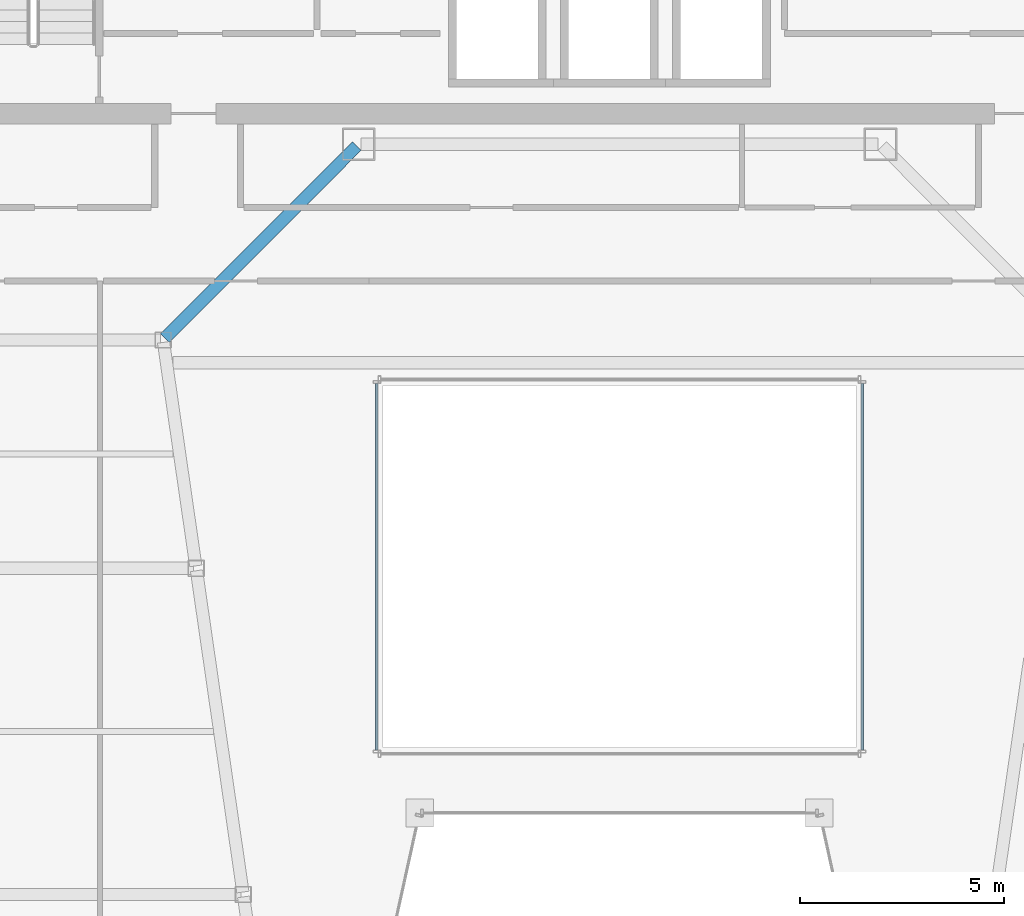
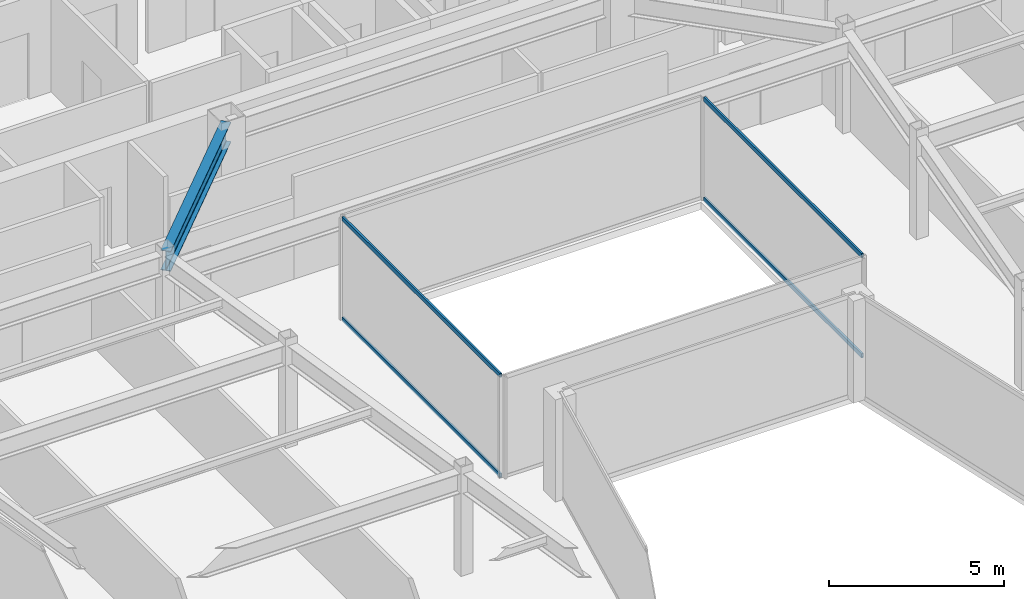
# One storey, part 12 of 36: 4 members, 1 beam, 2 elements without a shape of their own.
"""IFC4 building model written with IfcOpenShell, lengths in metres."""

from ifc_helpers import new_model, si_unit, direction, frame, origin, origin_2d, place, context, subcontext, project, spatial, hollow_rectangle, i_section, extrude, material, material_profile, profile_set, type_object, element, aggregate, save


model = new_model("IFC4")

# Units and contexts
model_context = context("Model", 3, precision=1e-05, world=origin(), true_north=direction((0.0, 1.0)))
body_context = subcontext(model_context, "Body", "Model", "MODEL_VIEW")
ifc_project = project(units=[si_unit("LENGTHUNIT", "METRE"), si_unit("AREAUNIT", "SQUARE_METRE"), si_unit("VOLUMEUNIT", "CUBIC_METRE"), si_unit("PLANEANGLEUNIT", "RADIAN"), si_unit("MASSUNIT", "GRAM", prefix="KILO")], contexts=[model_context])

# Site, building, storey
site_placement = place(None, origin())
site = spatial("IfcSite", under=ifc_project, at=site_placement, CompositionType="ELEMENT")
building_placement = place(site_placement, origin())
building = spatial("IfcBuilding", under=site, at=building_placement, Name="Saevonmaru Cultural Tower", CompositionType="ELEMENT")
storey_placement = place(building_placement, frame((0.0, 0.0, 209.39990234375)))
storey = spatial("IfcBuildingStorey", under=building, at=storey_placement, Name="L48", CompositionType="ELEMENT", Elevation=209.39990234375)

# Beam
ifc_material_1 = material(Name="Steel SM355", Category="steel")
ifc_material_profile_1 = material_profile(ifc_material_1, i_section(OverallWidth=0.300048828125, OverallDepth=0.699951171875, WebThickness=0.012939453125, FlangeThickness=0.02392578125, FilletRadius=0.02587890625, at=origin_2d()), Name="H-700x300x13x24")
ifc_profile_set_1 = profile_set([ifc_material_profile_1], Name="Steel SM355")
beam_type = type_object("IfcBeamType", Name="BM-G-H700", PredefinedType="BEAM", material=ifc_profile_set_1)
beam_placement = place(storey_placement, frame((18.850341796875, 37.642578125, 3.2001953125), z_axis=(0.706538566564, 0.707674539572, 0.0), x_axis=(-0.707674539572, 0.706538566564, 0.0)))
element("IfcBeam", 1, at=beam_placement, inside=storey, type_object=beam_type, Name="L48 West Atrium Girder 4", PredefinedType="BEAM", context=body_context, shape_type="SweptSolid", body=[
    extrude(i_section(OverallWidth=0.300048828125, OverallDepth=0.699951171875, WebThickness=0.012939453125, FlangeThickness=0.02392578125, FilletRadius=0.02587890625, at=origin_2d()), origin(), (0.0, 0.0, 1.0), 6.662353515625),
])

# Curtain wall, members
ifc_material_2 = material(Name="Satin Bronze Anodised Aluminium", Category="aluminium")
curtain_wall_type = type_object("IfcCurtainWallType", Name="CW-ATR-GLZ", PredefinedType="NOTDEFINED", material=ifc_material_2)
curtain_wall_1_placement = place(storey_placement, origin())
curtain_wall_1 = element("IfcCurtainWall", 2, at=curtain_wall_1_placement, inside=storey, type_object=curtain_wall_type, Name="L48 Vertical Atrium Glazed Smoke Screen 2", PredefinedType="NOTDEFINED")
ifc_material_profile_2 = material_profile(ifc_material_2, hollow_rectangle(XDim=0.06494140625, YDim=0.14990234375, WallThickness=0.00390625, at=origin_2d()), Name="ALU-TRAN-150x65x4")
ifc_profile_set_2 = profile_set([ifc_material_profile_2], Name="Satin Bronze Anodised Aluminium")
member_type = type_object("IfcMemberType", Name="TR-CW-INT-150x65", PredefinedType="USERDEFINED", material=ifc_profile_set_2)
member_1_placement = place(storey_placement, frame((35.949951171875, 27.54248046875, 0.03271484375), z_axis=(0.0, 1.0, 0.0), x_axis=(-1.0, 0.0, 0.0)))
member_1 = element("IfcMember", 3, at=member_1_placement, type_object=member_type, Name="CW-ATR-L48-2 transom 1.1", ObjectType="TRANSOM", PredefinedType="USERDEFINED", context=body_context, shape_type="SweptSolid", body=[
    extrude(hollow_rectangle(XDim=0.06494140625, YDim=0.14990234375, WallThickness=0.00390625, at=origin_2d()), origin(), (0.0, 0.0, 1.0), 8.9951171875),
])
member_2_placement = place(storey_placement, frame((35.949951171875, 27.54248046875, 3.517578125), z_axis=(0.0, 1.0, 0.0), x_axis=(-1.0, 0.0, 0.0)))
member_2 = element("IfcMember", 4, at=member_2_placement, type_object=member_type, Name="CW-ATR-L48-2 transom 1.2", ObjectType="TRANSOM", PredefinedType="USERDEFINED", context=body_context, shape_type="SweptSolid", body=[
    extrude(hollow_rectangle(XDim=0.06494140625, YDim=0.14990234375, WallThickness=0.00390625, at=origin_2d()), origin(), (0.0, 0.0, 1.0), 8.9951171875),
])
aggregate(curtain_wall_1, [member_1, member_2])

curtain_wall_2_placement = place(storey_placement, origin())
curtain_wall_2 = element("IfcCurtainWall", 5, at=curtain_wall_2_placement, inside=storey, type_object=curtain_wall_type, Name="L48 Vertical Atrium Glazed Smoke Screen 4", PredefinedType="NOTDEFINED")
member_3_placement = place(storey_placement, frame((24.050048828125, 36.53759765625, 0.03271484375), z_axis=(0.0, -1.0, 0.0), x_axis=(1.0, 0.0, 0.0)))
member_3 = element("IfcMember", 6, at=member_3_placement, type_object=member_type, Name="CW-ATR-L48-4 transom 1.1", ObjectType="TRANSOM", PredefinedType="USERDEFINED", context=body_context, shape_type="SweptSolid", body=[
    extrude(hollow_rectangle(XDim=0.06494140625, YDim=0.14990234375, WallThickness=0.00390625, at=origin_2d()), origin(), (0.0, 0.0, 1.0), 8.9951171875),
])
member_4_placement = place(storey_placement, frame((24.050048828125, 36.53759765625, 3.517578125), z_axis=(0.0, -1.0, 0.0), x_axis=(1.0, 0.0, 0.0)))
member_4 = element("IfcMember", 7, at=member_4_placement, type_object=member_type, Name="CW-ATR-L48-4 transom 1.2", ObjectType="TRANSOM", PredefinedType="USERDEFINED", context=body_context, shape_type="SweptSolid", body=[
    extrude(hollow_rectangle(XDim=0.06494140625, YDim=0.14990234375, WallThickness=0.00390625, at=origin_2d()), origin(), (0.0, 0.0, 1.0), 8.9951171875),
])
aggregate(curtain_wall_2, [member_3, member_4])

save(model, "model.ifc")
